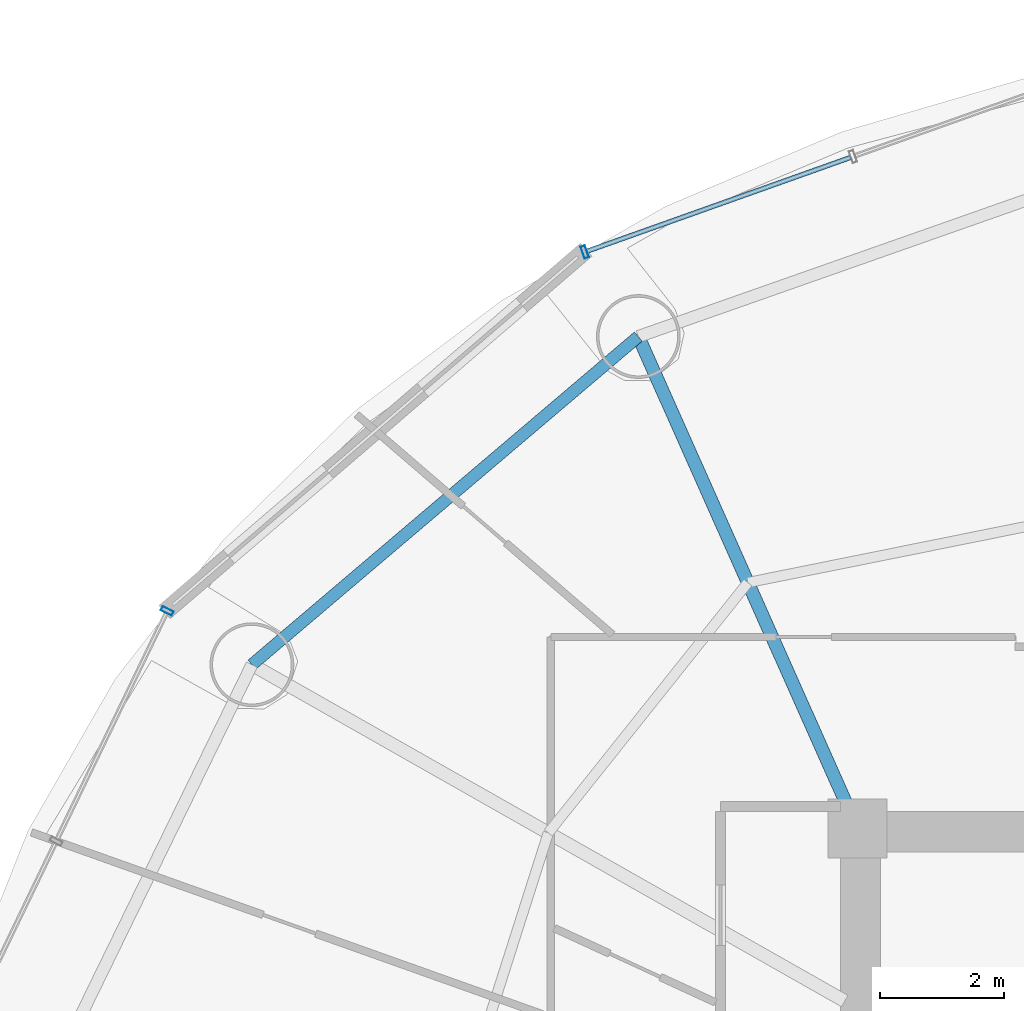
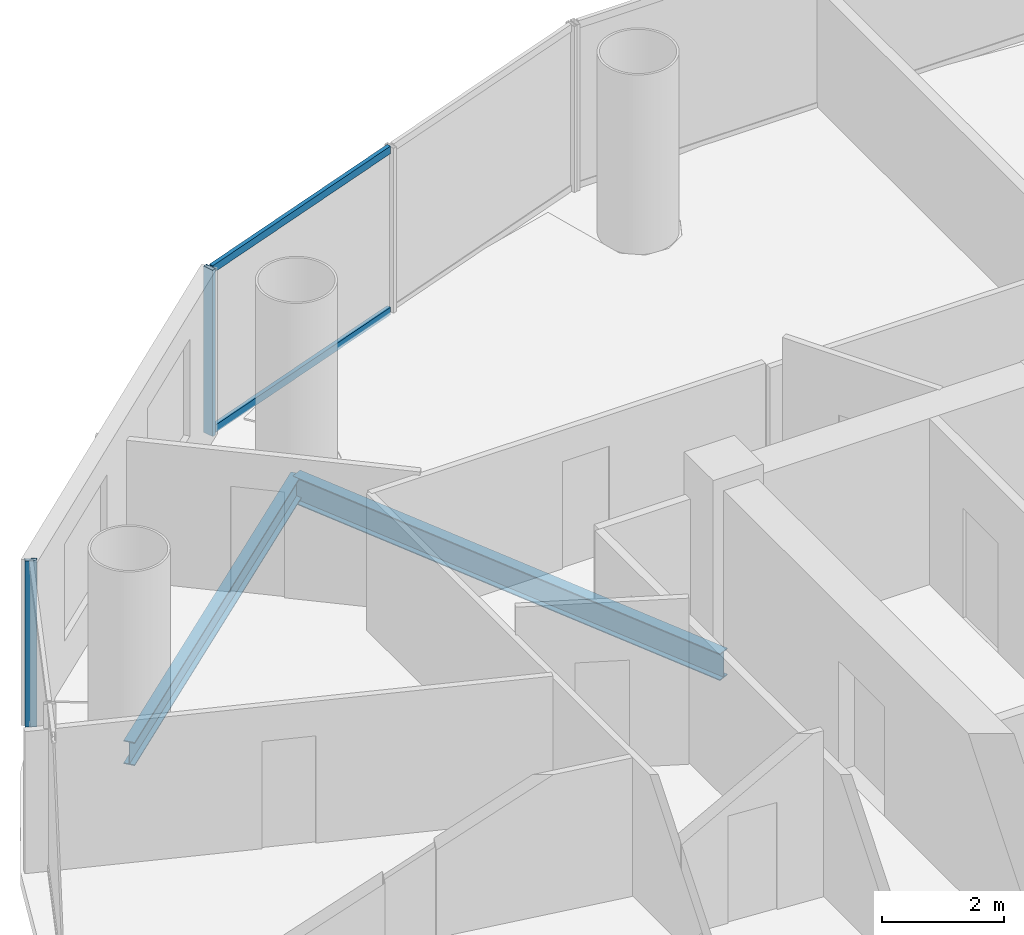
# One storey, part 13 of 26: 4 members, 2 beams, 2 elements without a shape of their own.
"""IFC4 building model written with IfcOpenShell, lengths in metres."""

from ifc_helpers import new_model, si_unit, direction, frame, origin, origin_2d, place, context, subcontext, project, spatial, hollow_rectangle, i_section, extrude, source, transform, mapped, material, material_profile, profile_set, type_object, element, aggregate, save


model = new_model("IFC4")

# Units and contexts
model_context = context("Model", 3, precision=1e-05, world=origin(), true_north=direction((-0.2419218956, 0.970295726276)))
body_context = subcontext(model_context, "Body", "Model", "MODEL_VIEW")
ifc_project = project(units=[si_unit("LENGTHUNIT", "METRE"), si_unit("AREAUNIT", "SQUARE_METRE"), si_unit("VOLUMEUNIT", "CUBIC_METRE"), si_unit("PLANEANGLEUNIT", "RADIAN"), si_unit("MASSUNIT", "GRAM", prefix="KILO")], contexts=[model_context])

# Site, building, storey
site_placement = place(None, origin())
site = spatial("IfcSite", under=ifc_project, at=site_placement, CompositionType="ELEMENT")
building_placement = place(site_placement, origin())
building = spatial("IfcBuilding", under=site, at=building_placement, Name="Cobrevalo Terracotta Tower", CompositionType="ELEMENT")
storey_placement = place(building_placement, frame((0.0, 0.0, 171.39990234375)))
storey = spatial("IfcBuildingStorey", under=building, at=storey_placement, Name="L45", CompositionType="ELEMENT", Elevation=171.39990234375)

# Beams
ifc_material_1 = material(Name="Steel S355", Category="steel")
ifc_material_profile_1 = material_profile(ifc_material_1, i_section(OverallWidth=0.2109375, OverallDepth=0.5390625, WebThickness=0.01171875, FlangeThickness=0.018798828125, at=origin_2d()), Name="W 530x109")
ifc_profile_set_1 = profile_set([ifc_material_profile_1], Name="Steel S355")
beam_type_1 = type_object("IfcBeamType", Name="Structural Beam W 530x109 (Steel S355)", PredefinedType="BEAM", material=ifc_profile_set_1)
beam_1_placement = place(storey_placement, frame((25.471923828125, 42.72265625, -0.539306640625), z_axis=(0.406804395691, -0.913515289224, 0.0), x_axis=(0.913515289224, 0.406804395691, 0.0)))
element("IfcBeam", 1, at=beam_1_placement, inside=storey, type_object=beam_type_1, Name="L45 radial floor girder 06", PredefinedType="BEAM", context=body_context, shape_type="SweptSolid", body=[
    extrude(i_section(OverallWidth=0.2109375, OverallDepth=0.5390625, WebThickness=0.01171875, FlangeThickness=0.018798828125, at=origin_2d()), origin(), (0.0, 0.0, 1.0), 8.672607421875),
])
ifc_material_profile_2 = material_profile(ifc_material_1, i_section(OverallWidth=0.194091796875, OverallDepth=0.468994140625, WebThickness=0.011474609375, FlangeThickness=0.0205078125, at=origin_2d()), Name="W 460x106")
ifc_profile_set_2 = profile_set([ifc_material_profile_2], Name="Steel S355")
beam_type_2 = type_object("IfcBeamType", Name="Structural Spandrel W 460x106 (Steel S355)", PredefinedType="SPANDREL", material=ifc_profile_set_2)
beam_2_placement = place(storey_placement, frame((25.471923828125, 42.72265625, -0.50439453125), z_axis=(-0.762240337798, -0.647294112003, 0.0), x_axis=(0.647294112003, -0.762240337798, 0.0)))
element("IfcBeam", 2, at=beam_2_placement, inside=storey, type_object=beam_type_2, Name="L45 perimeter ring spandrel 06", PredefinedType="SPANDREL", context=body_context, shape_type="SweptSolid", body=[
    extrude(i_section(OverallWidth=0.194091796875, OverallDepth=0.468994140625, WebThickness=0.011474609375, FlangeThickness=0.0205078125, at=origin_2d()), origin(), (0.0, 0.0, 1.0), 8.162353515625),
])

# Curtain wall, member
ifc_material_2 = material(Name="Anodized aluminium", Category="aluminium")
curtain_wall_type = type_object("IfcCurtainWallType", Name="Mid-tower high-wind unitised curtain wall CW-U2", PredefinedType="NOTDEFINED", material=ifc_material_2)
curtain_wall_1_placement = place(storey_placement, origin())
curtain_wall_1 = element("IfcCurtainWall", 3, at=curtain_wall_1_placement, inside=storey, type_object=curtain_wall_type, Name="L45 curtain wall CW-L45-S05", PredefinedType="NOTDEFINED")
ifc_material_profile_3 = material_profile(ifc_material_2, hollow_rectangle(XDim=0.074951171875, YDim=0.199951171875, WallThickness=0.0048828125, at=origin_2d()), Name="CWM 75x200")
ifc_profile_set_3 = profile_set([ifc_material_profile_3], Name="Anodized aluminium")
member_type_1 = type_object("IfcMemberType", Name="Lower/mid tower unitised mullion 75x200", PredefinedType="MULLION", material=ifc_profile_set_3)
shared_shape_1 = source(origin(), body_context, "Body", "SweptSolid", [
    extrude(hollow_rectangle(XDim=0.074951171875, YDim=0.199951171875, WallThickness=0.0048828125, at=origin_2d()), origin(), (0.0, 0.0, 1.0), 3.330078125),
])
member_1_placement = place(storey_placement, frame((24.609619140625, 44.0830078125, 0.0), z_axis=(0.0, 0.0, 1.0), x_axis=(-0.942098428897, -0.335336473217, 0.0)))
member_1 = element("IfcMember", 4, at=member_1_placement, type_object=member_type_1, Name="CW-L45-S05 vertical mullion 03", PredefinedType="MULLION", context=body_context, shape_type="MappedRepresentation", body=[
    mapped(shared_shape_1, transform((0.0, 0.0, 0.0), scale=1.0)),
])

curtain_wall_2_placement = place(storey_placement, origin())
curtain_wall_2 = element("IfcCurtainWall", 5, at=curtain_wall_2_placement, inside=storey, type_object=curtain_wall_type, Name="L45 curtain wall CW-L45-S07", PredefinedType="NOTDEFINED")
member_2_placement = place(storey_placement, frame((17.885986328125, 38.30322265625, 0.0), z_axis=(0.0, 0.0, 1.0), x_axis=(-0.434209440271, -0.900811945957, 0.0)))
member_2 = element("IfcMember", 6, at=member_2_placement, type_object=member_type_1, Name="CW-L45-S07 vertical mullion 01", PredefinedType="MULLION", context=body_context, shape_type="MappedRepresentation", body=[
    mapped(shared_shape_1, transform((0.0, 0.0, 0.0), scale=1.0)),
])
aggregate(curtain_wall_2, [member_2])

# Member
ifc_material_profile_4 = material_profile(ifc_material_2, hollow_rectangle(XDim=0.074951171875, YDim=0.14990234375, WallThickness=0.00439453125, at=origin_2d()), Name="CWT 75x150")
ifc_profile_set_4 = profile_set([ifc_material_profile_4], Name="Anodized aluminium")
member_type_2 = type_object("IfcMemberType", Name="Tower unitised aluminium transom 75x150", PredefinedType="USERDEFINED", material=ifc_profile_set_4)
shared_shape_2 = source(origin(), body_context, "Body", "SweptSolid", [
    extrude(hollow_rectangle(XDim=0.074951171875, YDim=0.14990234375, WallThickness=0.00439453125, at=origin_2d()), origin(), (0.0, 0.0, 1.0), 4.504150390625),
])
member_3_placement = place(storey_placement, frame((28.890625, 45.60693359375, 0.050048828125), z_axis=(-0.942093344241, -0.335350757771, 0.0), x_axis=(0.335350757771, -0.942093344241, 0.0)))
member_3 = element("IfcMember", 7, at=member_3_placement, type_object=member_type_2, Name="CW-L45-S05 transom B02-T1", ObjectType="TRANSOM", PredefinedType="USERDEFINED", context=body_context, shape_type="MappedRepresentation", body=[
    mapped(shared_shape_2, transform((0.0, 0.0, 0.0), scale=1.0)),
])

member_4_placement = place(storey_placement, frame((28.890625, 45.60693359375, 3.280029296875), z_axis=(-0.942093344241, -0.335350757771, 0.0), x_axis=(0.335350757771, -0.942093344241, 0.0)))
member_4 = element("IfcMember", 8, at=member_4_placement, type_object=member_type_2, Name="CW-L45-S05 transom B02-T2", ObjectType="TRANSOM", PredefinedType="USERDEFINED", context=body_context, shape_type="MappedRepresentation", body=[
    mapped(shared_shape_2, transform((0.0, 0.0, 0.0), scale=1.0)),
])

aggregate(curtain_wall_1, [member_1, member_3, member_4])

save(model, "model.ifc")
